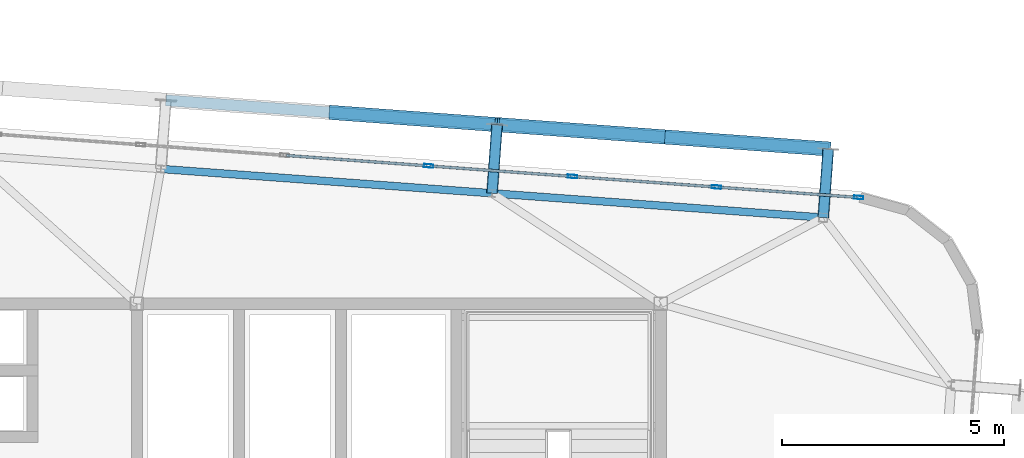
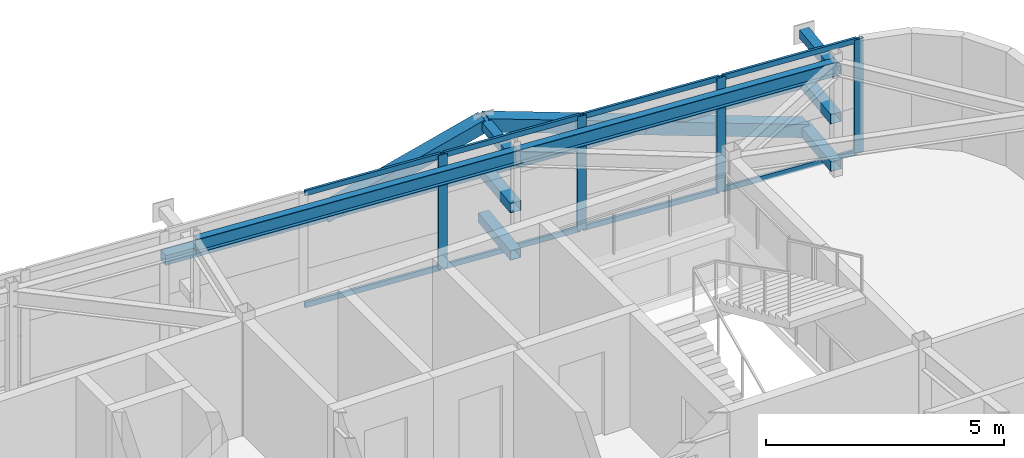
# One storey, part 28 of 42: 23 members, 2 beams, 1 element without a shape of its own.
"""IFC4 building model written with IfcOpenShell, lengths in metres."""

from ifc_helpers import new_model, si_unit, direction, frame, origin, origin_2d, place, context, subcontext, project, spatial, hollow_rectangle, i_section, extrude, source, transform, mapped, material, layer, layer_set, material_profile, profile_set, type_object, element, aggregate, save


model = new_model("IFC4")

# Units and contexts
model_context = context("Model", 3, precision=1e-05, world=origin(), true_north=direction((0.0, 1.0)))
body_context = subcontext(model_context, "Body", "Model", "MODEL_VIEW")
ifc_project = project(units=[si_unit("LENGTHUNIT", "METRE"), si_unit("AREAUNIT", "SQUARE_METRE"), si_unit("VOLUMEUNIT", "CUBIC_METRE"), si_unit("PLANEANGLEUNIT", "RADIAN"), si_unit("MASSUNIT", "GRAM", prefix="KILO")], contexts=[model_context])

# Site, building, storey
site_placement = place(None, origin())
site = spatial("IfcSite", under=ifc_project, at=site_placement, CompositionType="ELEMENT")
building_placement = place(site_placement, origin())
building = spatial("IfcBuilding", under=site, at=building_placement, Name="Taldren Reach Tower", CompositionType="ELEMENT")
storey_placement = place(building_placement, frame((0.0, 0.0, 220.85009765625)))
storey = spatial("IfcBuildingStorey", under=building, at=storey_placement, Name="L67", CompositionType="ELEMENT", Elevation=220.85009765625)

# Members
ifc_material_1 = material(Name="Steel Gr 350 (C350L0)", Category="steel")
ifc_material_profile_1 = material_profile(ifc_material_1, hollow_rectangle(XDim=0.25, YDim=0.25, WallThickness=0.010009765625, at=origin_2d()), Name="250x250x10.0SHS")
ifc_profile_set_1 = profile_set([ifc_material_profile_1], Name="Steel Gr 350 (C350L0)")
member_type_1 = type_object("IfcMemberType", Name="MB-POST250", PredefinedType="POST", material=ifc_profile_set_1)
shared_shape_1 = source(origin(), body_context, "Body", "SweptSolid", [
    extrude(hollow_rectangle(XDim=0.25, YDim=0.25, WallThickness=0.010009765625, at=origin_2d()), origin(), (0.0, 0.0, 1.0), 1.550048828125),
])
for number, where, z_axis, x_axis, name in (
    (1, (47.199462890625, 34.487548828125, 0.219970703125), (0.07323929162, 0.997314396849, 0.0), (-0.997314396849, 0.07323929162, 0.0), "Exoskeleton base diaphragm tie strut B5-N5 L67"),
    (2, (54.659423828125, 33.939697265625, 0.219970703125), (0.07323929162, 0.997314396849, 0.0), (-0.997314396849, 0.07323929162, 0.0), "Exoskeleton base diaphragm tie strut B5-N6 L67"),
    (3, (47.199462890625, 34.487548828125, 1.434814453125), (0.07323929162, 0.997314396849, 0.0), (-0.997314396849, 0.07323929162, 0.0), "Exoskeleton mid-tier diaphragm tie B5-N5 L67"),
    (4, (54.659423828125, 33.939697265625, 1.434814453125), (0.07323929162, 0.997314396849, 0.0), (-0.997314396849, 0.07323929162, 0.0), "Exoskeleton mid-tier diaphragm tie B5-N6 L67"),
):
    element("IfcMember", number, at=place(storey_placement, frame(where, z_axis=z_axis, x_axis=x_axis)), inside=storey, type_object=member_type_1, Name=name, PredefinedType="POST", context=body_context, shape_type="MappedRepresentation", body=[
        mapped(shared_shape_1, transform((0.0, 0.0, 0.0), scale=1.0)),
    ])
ifc_material_2 = material(Name="Steel Gr 450 (C450L0)", Category="steel")
ifc_material_profile_2 = material_profile(ifc_material_2, hollow_rectangle(XDim=0.219970703125, YDim=0.219970703125, WallThickness=0.00830078125, at=origin_2d()), Name="220x220x8.2SHS")
ifc_profile_set_2 = profile_set([ifc_material_profile_2], Name="Steel Gr 450 (C450L0)")
member_type_2 = type_object("IfcMemberType", Name="MB-TIE219", PredefinedType="STRUT", material=ifc_profile_set_2)
shared_shape_2 = source(origin(), body_context, "Body", "SweptSolid", [
    extrude(hollow_rectangle(XDim=0.219970703125, YDim=0.219970703125, WallThickness=0.00830078125, at=origin_2d()), origin(), (0.0, 0.0, 1.0), 1.550048828125),
])
for number, where, z_axis, x_axis, name in (
    (5, (47.199462890625, 34.487548828125, 2.64990234375), (0.07323929162, 0.997314396849, 0.0), (-0.997314396849, 0.07323929162, 0.0), "Exoskeleton diaphragm tie strut B5-N5 L67"),
    (6, (54.659423828125, 33.939697265625, 2.64990234375), (0.07323929162, 0.997314396849, 0.0), (-0.997314396849, 0.07323929162, 0.0), "Exoskeleton diaphragm tie strut B5-N6 L67"),
):
    element("IfcMember", number, at=place(storey_placement, frame(where, z_axis=z_axis, x_axis=x_axis)), inside=storey, type_object=member_type_2, Name=name, PredefinedType="STRUT", context=body_context, shape_type="MappedRepresentation", body=[
        mapped(shared_shape_2, transform((0.0, 0.0, 0.0), scale=1.0)),
    ])

# Beams
ifc_material_3 = material(Name="Steel Gr 350 (350PLUS)", Category="steel")
ifc_material_profile_3 = material_profile(ifc_material_3, i_section(OverallWidth=0.172119140625, OverallDepth=0.35888671875, WebThickness=0.008056640625, FlangeThickness=0.012939453125, at=origin_2d()), Name="360UB56.7")
ifc_profile_set_3 = profile_set([ifc_material_profile_3], Name="Steel Gr 350 (350PLUS)")
beam_type = type_object("IfcBeamType", Name="SP-UB360", PredefinedType="SPANDREL", material=ifc_profile_set_3)
shared_shape_3 = source(origin(), body_context, "Body", "SweptSolid", [
    extrude(i_section(OverallWidth=0.172119140625, OverallDepth=0.35888671875, WebThickness=0.008056640625, FlangeThickness=0.012939453125, at=origin_2d()), origin(), (0.0, 0.0, 1.0), 7.47998046875),
])
for number, where, z_axis, x_axis, name in (
    (7, (54.659423828125, 33.939697265625, 2.75048828125), (-0.997314220642, 0.07324169103, 0.0), (-0.07324169103, -0.997314220642, 0.0), "Perimeter spandrel B5 N6-N5 L67"),
    (8, (47.199462890625, 34.487548828125, 2.75048828125), (-0.997314220642, 0.07324169103, 0.0), (-0.07324169103, -0.997314220642, 0.0), "Perimeter spandrel B5 N5-N4 L67"),
):
    element("IfcBeam", number, at=place(storey_placement, frame(where, z_axis=z_axis, x_axis=x_axis)), inside=storey, type_object=beam_type, Name=name, PredefinedType="SPANDREL", context=body_context, shape_type="MappedRepresentation", body=[
        mapped(shared_shape_3, transform((0.0, 0.0, 0.0), scale=1.0)),
    ])

# Members
ifc_material_profile_4 = material_profile(ifc_material_2, hollow_rectangle(XDim=0.324951171875, YDim=0.324951171875, WallThickness=0.0126953125, at=origin_2d()), Name="325x325x12.7SHS")
ifc_profile_set_4 = profile_set([ifc_material_profile_4], Name="Steel Gr 450 (C450L0)")
member_type_3 = type_object("IfcMemberType", Name="MB-BR324", PredefinedType="BRACE", material=ifc_profile_set_4)
shared_shape_4 = source(origin(), body_context, "Body", "SweptSolid", [
    extrude(hollow_rectangle(XDim=0.324951171875, YDim=0.324951171875, WallThickness=0.0126953125, at=origin_2d()), origin(), (0.0, 0.0, 1.0), 3.932373046875),
])
for number, where, z_axis, x_axis, name in (
    (9, (43.5830078125, 36.307373046875, 1.434814453125), (0.948511132845, -0.069657644394, 0.308989390507), (0.07324169103, 0.997314220642, 0.0), "Exoskeleton Diagrid Brace B5-N4 L67"),
    (10, (54.77294921875, 35.485595703125, 0.219970703125), (-0.948529326954, 0.06965898055, 0.308933232813), (-0.07324169103, -0.997314220642, 0.0), "Exoskeleton Diagrid Brace B5-N5 L67"),
    (11, (51.04296875, 35.759521484375, 1.434814453125), (-0.948511132845, 0.069657644394, 0.308989390507), (-0.07324169103, -0.997314220642, 0.0), "Exoskeleton Diagrid Brace B5-N5 L67"),
):
    element("IfcMember", number, at=place(storey_placement, frame(where, z_axis=z_axis, x_axis=x_axis)), inside=storey, type_object=member_type_3, Name=name, PredefinedType="BRACE", context=body_context, shape_type="MappedRepresentation", body=[
        mapped(shared_shape_4, transform((0.0, 0.0, 0.0), scale=1.0)),
    ])
shared_shape_5 = source(origin(), body_context, "Body", "SweptSolid", [
    extrude(hollow_rectangle(XDim=0.25, YDim=0.25, WallThickness=0.010009765625, at=origin_2d()), origin(), (0.0, 0.0, 1.0), 7.47998046875),
])
for number, where, z_axis, x_axis, name in (
    (12, (39.85302734375, 36.581298828125, 1.434814453125), (0.997314220642, -0.07324169103, 0.0), (0.07324169103, 0.997314220642, 0.0), "Exoskeleton mid-height ring chord B5-N4 L67"),
    (13, (47.31298828125, 36.033447265625, 1.434814453125), (0.997314220642, -0.07324169103, 0.0), (0.07324169103, 0.997314220642, 0.0), "Exoskeleton mid-height ring chord B5-N5 L67"),
):
    element("IfcMember", number, at=place(storey_placement, frame(where, z_axis=z_axis, x_axis=x_axis)), inside=storey, type_object=member_type_1, Name=name, PredefinedType="POST", context=body_context, shape_type="MappedRepresentation", body=[
        mapped(shared_shape_5, transform((0.0, 0.0, 0.0), scale=1.0)),
    ])

# Curtain wall, members
ifc_material_4 = material(Name="Aluminium and Low-E Glass Unitised System", Category="aluminium")
ifc_layer = layer(ifc_material_4, 0.159912109375)
ifc_layer_set = layer_set([ifc_layer], Name="Aluminium and Low-E Glass Unitised System")
curtain_wall_type = type_object("IfcCurtainWallType", Name="CW-SYS-6", PredefinedType="NOTDEFINED", material=ifc_layer_set)
curtain_wall_placement = place(storey_placement, origin())
curtain_wall = element("IfcCurtainWall", 14, at=curtain_wall_placement, inside=storey, type_object=curtain_wall_type, Name="Unitised curtain wall CW-L67-N", PredefinedType="NOTDEFINED")
ifc_material_5 = material(Name="Anodised Aluminium 6063-T6", Category="aluminium")
ifc_material_profile_5 = material_profile(ifc_material_5, hollow_rectangle(XDim=0.074951171875, YDim=0.2099609375, WallThickness=0.00439453125, at=origin_2d()), Name="ALU-210x75x4.5RHS")
ifc_profile_set_5 = profile_set([ifc_material_profile_5], Name="Anodised Aluminium 6063-T6")
member_type_4 = type_object("IfcMemberType", Name="CW-MUL-200", PredefinedType="MULLION", material=ifc_profile_set_5)
shared_shape_6 = source(origin(), body_context, "Body", "SweptSolid", [
    extrude(hollow_rectangle(XDim=0.074951171875, YDim=0.2099609375, WallThickness=0.00439453125, at=origin_2d()), origin(), (0.0, 0.0, 1.0), 2.929931640625),
])
member_1_placement = place(storey_placement, frame((55.45703125, 34.392578125, 0.0), z_axis=(0.0, 0.0, 1.0), x_axis=(-0.073238213716, -0.997314476006, 0.0)))
member_1 = element("IfcMember", 15, at=member_1_placement, type_object=member_type_4, Name="CW-6 mullion 1", PredefinedType="MULLION", context=body_context, shape_type="MappedRepresentation", body=[
    mapped(shared_shape_6, transform((0.0, 0.0, 0.0), scale=1.0)),
])
member_2_placement = place(storey_placement, frame((52.253173828125, 34.6279296875, 0.0), z_axis=(0.0, 0.0, 1.0), x_axis=(-0.073238213716, -0.997314476006, 0.0)))
member_2 = element("IfcMember", 16, at=member_2_placement, type_object=member_type_4, Name="CW-6 mullion 2", PredefinedType="MULLION", context=body_context, shape_type="MappedRepresentation", body=[
    mapped(shared_shape_6, transform((0.0, 0.0, 0.0), scale=1.0)),
])
member_3_placement = place(storey_placement, frame((49.011962890625, 34.865966796875, 0.0), z_axis=(0.0, 0.0, 1.0), x_axis=(-0.073238213716, -0.997314476006, 0.0)))
member_3 = element("IfcMember", 17, at=member_3_placement, type_object=member_type_4, Name="CW-6 mullion 3", PredefinedType="MULLION", context=body_context, shape_type="MappedRepresentation", body=[
    mapped(shared_shape_6, transform((0.0, 0.0, 0.0), scale=1.0)),
])
member_4_placement = place(storey_placement, frame((45.770751953125, 35.103759765625, 0.0), z_axis=(0.0, 0.0, 1.0), x_axis=(-0.073238213716, -0.997314476006, 0.0)))
member_4 = element("IfcMember", 18, at=member_4_placement, type_object=member_type_4, Name="CW-6 mullion 4", PredefinedType="MULLION", context=body_context, shape_type="MappedRepresentation", body=[
    mapped(shared_shape_6, transform((0.0, 0.0, 0.0), scale=1.0)),
])
ifc_material_profile_6 = material_profile(ifc_material_5, hollow_rectangle(XDim=0.06005859375, YDim=0.135009765625, WallThickness=0.00341796875, at=origin_2d()), Name="ALU-135x60x3.5RHS")
ifc_profile_set_6 = profile_set([ifc_material_profile_6], Name="Anodised Aluminium 6063-T6")
member_type_5 = type_object("IfcMemberType", Name="CW-TRN-150", PredefinedType="USERDEFINED", material=ifc_profile_set_6)
shared_shape_7 = source(origin(), body_context, "Body", "SweptSolid", [
    extrude(hollow_rectangle(XDim=0.06005859375, YDim=0.135009765625, WallThickness=0.00341796875, at=origin_2d()), origin(), (0.0, 0.0, 1.0), 3.13720703125),
])
member_5_placement = place(storey_placement, frame((55.419677734375, 34.395263671875, 0.02978515625), z_axis=(-0.997315319572, 0.073226725633, 0.0), x_axis=(-0.073226725633, -0.997315319572, 0.0)))
member_5 = element("IfcMember", 19, at=member_5_placement, type_object=member_type_5, Name="CW-6 transom 1.1", ObjectType="TRANSOM", PredefinedType="USERDEFINED", context=body_context, shape_type="MappedRepresentation", body=[
    mapped(shared_shape_7, transform((0.0, 0.0, 0.0), scale=1.0)),
])
member_6_placement = place(storey_placement, frame((55.419677734375, 34.395263671875, 2.89990234375), z_axis=(-0.997315319572, 0.073226725633, 0.0), x_axis=(-0.073226725633, -0.997315319572, 0.0)))
member_6 = element("IfcMember", 20, at=member_6_placement, type_object=member_type_5, Name="CW-6 transom 1.2", ObjectType="TRANSOM", PredefinedType="USERDEFINED", context=body_context, shape_type="MappedRepresentation", body=[
    mapped(shared_shape_7, transform((0.0, 0.0, 0.0), scale=1.0)),
])
shared_shape_8 = source(origin(), body_context, "Body", "SweptSolid", [
    extrude(hollow_rectangle(XDim=0.06005859375, YDim=0.135009765625, WallThickness=0.00341796875, at=origin_2d()), origin(), (0.0, 0.0, 1.0), 3.175048828125),
])
member_7_placement = place(storey_placement, frame((52.2158203125, 34.630615234375, 0.02978515625), z_axis=(-0.99731704481, 0.073203224877, 0.0), x_axis=(-0.073203224877, -0.99731704481, 0.0)))
member_7 = element("IfcMember", 21, at=member_7_placement, type_object=member_type_5, Name="CW-6 transom 2.1", ObjectType="TRANSOM", PredefinedType="USERDEFINED", context=body_context, shape_type="MappedRepresentation", body=[
    mapped(shared_shape_8, transform((0.0, 0.0, 0.0), scale=1.0)),
])
member_8_placement = place(storey_placement, frame((52.2158203125, 34.630615234375, 2.89990234375), z_axis=(-0.99731704481, 0.073203224877, 0.0), x_axis=(-0.073203224877, -0.99731704481, 0.0)))
member_8 = element("IfcMember", 22, at=member_8_placement, type_object=member_type_5, Name="CW-6 transom 2.2", ObjectType="TRANSOM", PredefinedType="USERDEFINED", context=body_context, shape_type="MappedRepresentation", body=[
    mapped(shared_shape_8, transform((0.0, 0.0, 0.0), scale=1.0)),
])
member_9_placement = place(storey_placement, frame((48.974609375, 34.86865234375, 0.02978515625), z_axis=(-0.99731704481, 0.073203224877, 0.0), x_axis=(-0.073203224877, -0.99731704481, 0.0)))
member_9 = element("IfcMember", 23, at=member_9_placement, type_object=member_type_5, Name="CW-6 transom 3.1", ObjectType="TRANSOM", PredefinedType="USERDEFINED", context=body_context, shape_type="MappedRepresentation", body=[
    mapped(shared_shape_8, transform((0.0, 0.0, 0.0), scale=1.0)),
])
member_10_placement = place(storey_placement, frame((48.974609375, 34.86865234375, 2.89990234375), z_axis=(-0.99731704481, 0.073203224877, 0.0), x_axis=(-0.073203224877, -0.99731704481, 0.0)))
member_10 = element("IfcMember", 24, at=member_10_placement, type_object=member_type_5, Name="CW-6 transom 3.2", ObjectType="TRANSOM", PredefinedType="USERDEFINED", context=body_context, shape_type="MappedRepresentation", body=[
    mapped(shared_shape_8, transform((0.0, 0.0, 0.0), scale=1.0)),
])
member_11_placement = place(storey_placement, frame((45.7333984375, 35.106689453125, 0.02978515625), z_axis=(-0.99731704481, 0.073203224877, 0.0), x_axis=(-0.073203224877, -0.99731704481, 0.0)))
member_11 = element("IfcMember", 25, at=member_11_placement, type_object=member_type_5, Name="CW-6 transom 4.1", ObjectType="TRANSOM", PredefinedType="USERDEFINED", context=body_context, shape_type="MappedRepresentation", body=[
    mapped(shared_shape_8, transform((0.0, 0.0, 0.0), scale=1.0)),
])
member_12_placement = place(storey_placement, frame((45.7333984375, 35.106689453125, 2.89990234375), z_axis=(-0.99731704481, 0.073203224877, 0.0), x_axis=(-0.073203224877, -0.99731704481, 0.0)))
member_12 = element("IfcMember", 26, at=member_12_placement, type_object=member_type_5, Name="CW-6 transom 4.2", ObjectType="TRANSOM", PredefinedType="USERDEFINED", context=body_context, shape_type="MappedRepresentation", body=[
    mapped(shared_shape_8, transform((0.0, 0.0, 0.0), scale=1.0)),
])
aggregate(curtain_wall, [member_1, member_2, member_3, member_4, member_5, member_6, member_7, member_8, member_9, member_10, member_11, member_12])

save(model, "model.ifc")
